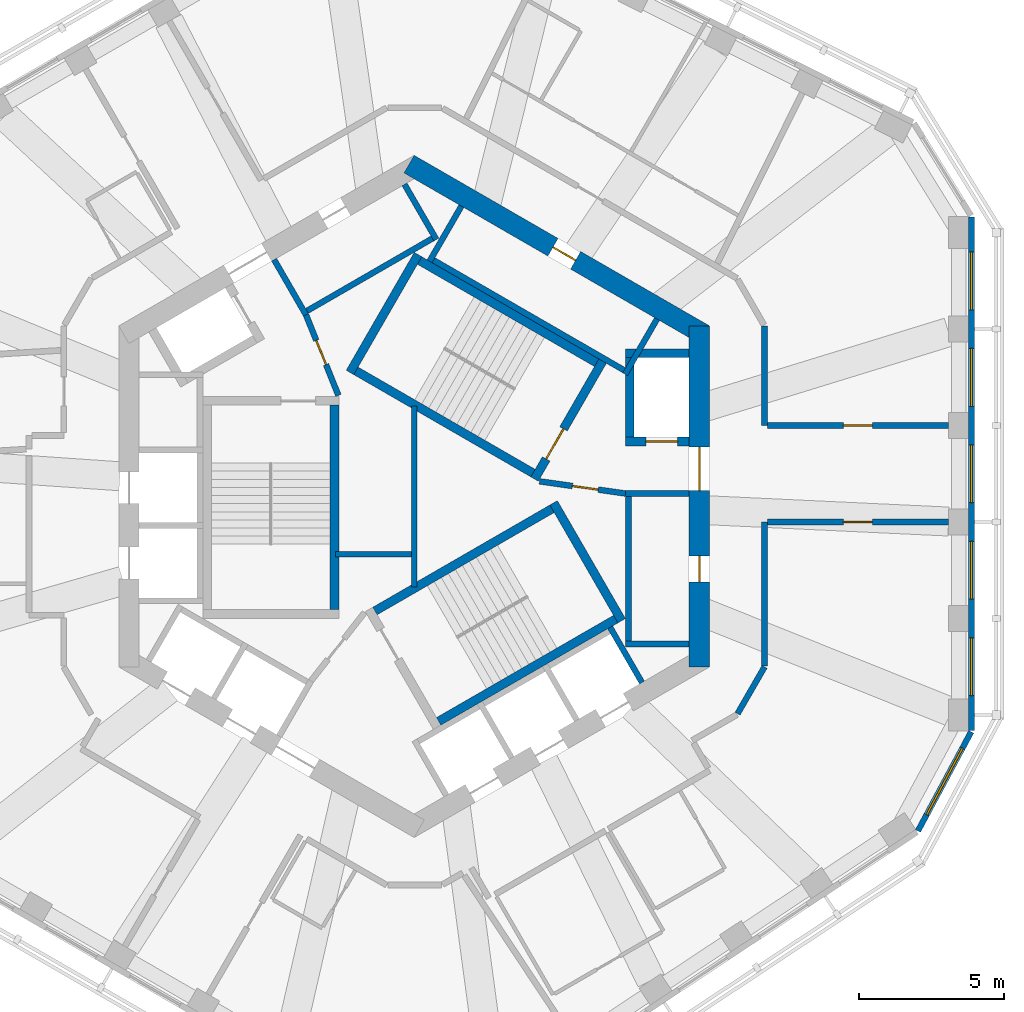
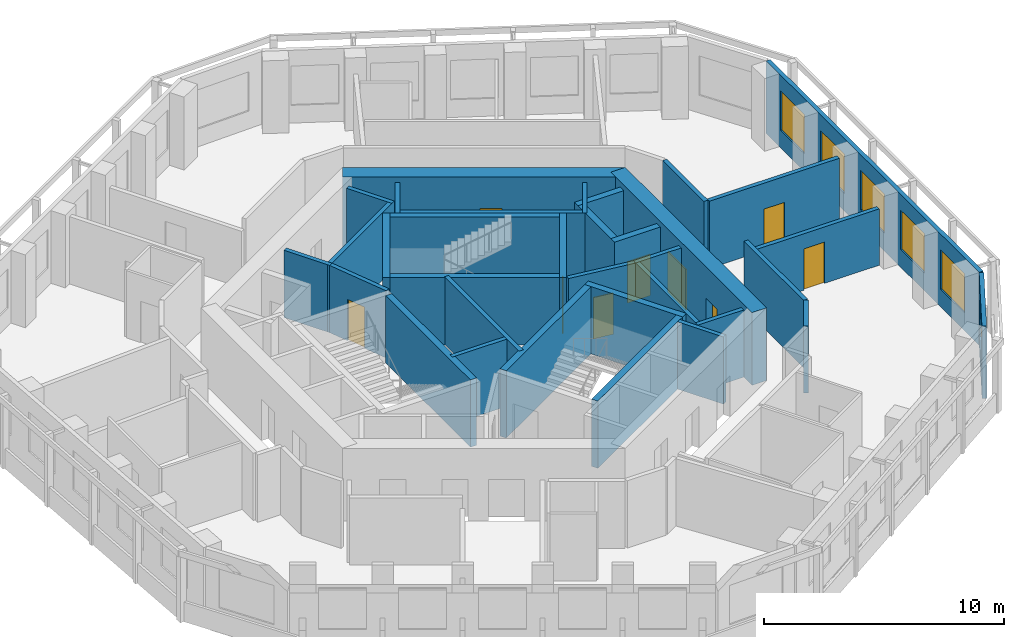
# One storey, part 6 of 10: 34 walls, 9 doors, 6 windows, 15 openings.
"""IFC4 building model written with IfcOpenShell, lengths in metres."""

from ifc_helpers import new_model, si_unit, direction, frame, frame_2d, origin, place, context, subcontext, project, spatial, rectangle, extrude, material, layer, layer_set, type_object, element, fill, save


model = new_model("IFC4")

# Units and contexts
model_context = context("Model", 3, precision=1e-05, world=origin(), true_north=direction((0.0, 1.0)))
body_context = subcontext(model_context, "Body", "Model", "MODEL_VIEW")
ifc_project = project(units=[si_unit("LENGTHUNIT", "METRE"), si_unit("AREAUNIT", "SQUARE_METRE"), si_unit("VOLUMEUNIT", "CUBIC_METRE"), si_unit("PLANEANGLEUNIT", "RADIAN"), si_unit("MASSUNIT", "GRAM", prefix="KILO")], contexts=[model_context])

# Site, building, storey
site_placement = place(None, origin())
site = spatial("IfcSite", under=ifc_project, at=site_placement, CompositionType="ELEMENT")
building_placement = place(site_placement, origin())
building = spatial("IfcBuilding", under=site, at=building_placement, Name="Vanh Sen Convention Tower", CompositionType="ELEMENT")
storey_placement = place(building_placement, frame((0.0, 0.0, 263.5)))
storey = spatial("IfcBuildingStorey", under=building, at=storey_placement, Name="L65", CompositionType="ELEMENT", Elevation=263.5)

# Wall, openings, doors
ifc_material_1 = material(Name="Concrete C60/75", Category="concrete")
ifc_layer_1 = layer(ifc_material_1, 0.699951171875)
ifc_layer_set_1 = layer_set([ifc_layer_1], Name="Concrete C60/75")
wall_type_1 = type_object("IfcWallType", Name="Core outer wall 700 C60/75", PredefinedType="SHEAR", material=ifc_layer_set_1)
wall_1_placement = place(storey_placement, frame((9.85009765625, -5.888916015625, 0.0), z_axis=(0.0, 0.0, 1.0), x_axis=(0.0, 1.0, 0.0)))
wall_1 = element("IfcWall", 1, at=wall_1_placement, inside=storey, type_object=wall_type_1, Name="Core wall face E L65", PredefinedType="SHEAR", context=body_context, shape_type="SweptSolid", body=[
    extrude(rectangle(XDim=11.77783203125, YDim=0.699951171875, at=frame_2d((5.888916015625, 0.0))), origin(), (0.0, 0.0, 1.0), 3.699951171875),
])
opening_1_placement = place(wall_1_placement, frame((6.089111328125, 0.0, 0.0)))
opening_1 = element("IfcOpeningElement", 2, at=opening_1_placement, cuts=wall_1, Name="Opening D64001", PredefinedType="OPENING", context=body_context, shape_type="SweptSolid", body=[
    extrude(rectangle(XDim=1.5, YDim=2.10009765625, at=frame_2d((0.75, 1.050048828125))), frame((0.0, 0.35986328125, 0.0), z_axis=(0.0, -1.0, 0.0), x_axis=(1.0, 0.0, 0.0)), (0.0, 0.0, 1.0), 0.719970703125),
])
opening_2_placement = place(wall_1_placement, frame((2.93896484375, 0.0, 0.0)))
opening_2 = element("IfcOpeningElement", 3, at=opening_2_placement, cuts=wall_1, Name="Opening D64010", PredefinedType="OPENING", context=body_context, shape_type="SweptSolid", body=[
    extrude(rectangle(XDim=0.89990234375, YDim=2.10009765625, at=frame_2d((0.449951171875, 1.050048828125))), frame((0.0, 0.35986328125, 0.0), z_axis=(0.0, -1.0, 0.0), x_axis=(1.0, 0.0, 0.0)), (0.0, 0.0, 1.0), 0.719970703125),
])
ifc_material_2 = material(Name="Steel S355", Category="steel")
door_type_1 = type_object("IfcDoorType", Name="Plant door 900", OperationType="SINGLE_SWING_LEFT", PredefinedType="DOOR", material=ifc_material_2)
door_1_placement = place(opening_2_placement, origin())
door_1 = element("IfcDoor", 4, at=door_1_placement, inside=storey, type_object=door_type_1, Name="Plant door D64010", OperationType="SINGLE_SWING_LEFT", OverallHeight=2.10009765625, OverallWidth=0.89990234375, PredefinedType="DOOR", context=body_context, shape_type="SweptSolid", body=[
    extrude(rectangle(XDim=0.89990234375, YDim=2.10009765625, at=frame_2d((0.449951171875, 1.050048828125))), frame((0.0, 0.02490234375, 0.0), z_axis=(0.0, -1.0, 0.0), x_axis=(1.0, 0.0, 0.0)), (0.0, 0.0, 1.0), 0.050048828125),
])
fill(opening_2, door_1)
door_type_2 = type_object("IfcDoorType", Name="Stair lobby door 1500", OperationType="DOUBLE_DOOR_SINGLE_SWING", PredefinedType="DOOR", material=ifc_material_2)
door_2_placement = place(opening_1_placement, origin())
door_2 = element("IfcDoor", 5, at=door_2_placement, inside=storey, type_object=door_type_2, Name="Stair lobby door D64001", OperationType="DOUBLE_DOOR_SINGLE_SWING", OverallHeight=2.10009765625, OverallWidth=1.5, PredefinedType="DOOR", context=body_context, shape_type="SweptSolid", body=[
    extrude(rectangle(XDim=1.5, YDim=2.10009765625, at=frame_2d((0.75, 1.050048828125))), frame((0.0, 0.02490234375, 0.0), z_axis=(0.0, -1.0, 0.0), x_axis=(1.0, 0.0, 0.0)), (0.0, 0.0, 1.0), 0.050048828125),
])
fill(opening_1, door_2)

# Wall, opening, door
wall_2_placement = place(storey_placement, frame((10.02490234375, 5.5859375, 0.0), z_axis=(0.0, 0.0, 1.0), x_axis=(-0.866026453023, 0.499998182661, 0.0)))
wall_2 = element("IfcWall", 6, at=wall_2_placement, inside=storey, type_object=wall_type_1, Name="Core wall face NE L65", PredefinedType="SHEAR", context=body_context, shape_type="SweptSolid", body=[
    extrude(rectangle(XDim=11.77783203125, YDim=0.699951171875, at=frame_2d((5.888916015625, 0.0))), origin(), (0.0, 0.0, 1.0), 3.699951171875),
])
opening_3_placement = place(wall_2_placement, frame((5.138916015625, 0.0, 0.0)))
opening_3 = element("IfcOpeningElement", 7, at=opening_3_placement, cuts=wall_2, Name="Opening D64011", PredefinedType="OPENING", context=body_context, shape_type="SweptSolid", body=[
    extrude(rectangle(XDim=0.89990234375, YDim=2.10009765625, at=frame_2d((0.449951171875, 1.050048828125))), frame((0.0, 0.35986328125, 0.0), z_axis=(0.0, -1.0, 0.0), x_axis=(1.0, 0.0, 0.0)), (0.0, 0.0, 1.0), 0.719970703125),
])
door_3_placement = place(opening_3_placement, origin())
door_3 = element("IfcDoor", 8, at=door_3_placement, inside=storey, type_object=door_type_1, Name="Plant door D64011", OperationType="SINGLE_SWING_LEFT", OverallHeight=2.10009765625, OverallWidth=0.89990234375, PredefinedType="DOOR", context=body_context, shape_type="SweptSolid", body=[
    extrude(rectangle(XDim=0.89990234375, YDim=2.10009765625, at=frame_2d((0.449951171875, 1.050048828125))), frame((0.0, 0.02490234375, 0.0), z_axis=(0.0, -1.0, 0.0), x_axis=(1.0, 0.0, 0.0)), (0.0, 0.0, 1.0), 0.050048828125),
])
fill(opening_3, door_3)

# Walls
ifc_material_3 = material(Name="Masonry blockwork", Category="masonry")
ifc_layer_2 = layer(ifc_material_3, 0.199951171875)
ifc_layer_set_2 = layer_set([ifc_layer_2], Name="Masonry blockwork")
wall_type_2 = type_object("IfcWallType", Name="Core partition 200", PredefinedType="PARTITIONING", material=ifc_layer_set_2)
wall_3_placement = place(storey_placement, frame((-2.719970703125, -2.0, 0.0), z_axis=(0.0, 0.0, 1.0), x_axis=(1.0, 0.0, 0.0)))
element("IfcWall", 9, at=wall_3_placement, inside=storey, type_object=wall_type_2, Name="Core partition L65", PredefinedType="PARTITIONING", context=body_context, shape_type="SweptSolid", body=[
    extrude(rectangle(XDim=2.619873046875, YDim=0.199951171875, at=frame_2d((1.31005859375, 0.0))), origin(), (0.0, 0.0, 1.0), 3.419921875),
])
wall_4_placement = place(storey_placement, frame((0.0, -3.122314453125, 0.0), z_axis=(0.0, 0.0, 1.0), x_axis=(0.0, 1.0, 0.0)))
element("IfcWall", 10, at=wall_4_placement, inside=storey, type_object=wall_type_2, Name="Core partition L65", PredefinedType="PARTITIONING", context=body_context, shape_type="SweptSolid", body=[
    extrude(rectangle(XDim=6.24462890625, YDim=0.199951171875, at=frame_2d((3.122314453125, 0.0))), origin(), (0.0, 0.0, 1.0), 3.419921875),
])
ifc_material_4 = material(Name="Gypsum board on steel studs with mineral wool", Category="steel")
ifc_layer_3 = layer(ifc_material_4, 0.199951171875)
ifc_layer_set_3 = layer_set([ifc_layer_3], Name="Gypsum board on steel studs with mineral wool")
wall_type_3 = type_object("IfcWallType", Name="Corridor partition wall 200", PredefinedType="PARTITIONING", material=ifc_layer_set_3)
wall_5_placement = place(storey_placement, frame((11.169921875, -7.5, 0.0), z_axis=(0.0, 0.0, 1.0), x_axis=(0.500006454166, 0.866021677438, 0.0)))
element("IfcWall", 11, at=wall_5_placement, inside=storey, type_object=wall_type_3, Name="Corridor partition wall 200", PredefinedType="PARTITIONING", context=body_context, shape_type="SweptSolid", body=[
    extrude(rectangle(XDim=1.8603515625, YDim=0.199951171875, at=frame_2d((0.93017578125, 0.0))), origin(), (0.0, 0.0, 1.0), 3.419921875),
])
wall_6_placement = place(storey_placement, frame((12.10009765625, -5.84912109375, 0.0), z_axis=(0.0, 0.0, 1.0), x_axis=(0.0, 1.0, 0.0)))
element("IfcWall", 12, at=wall_6_placement, inside=storey, type_object=wall_type_3, Name="Corridor partition wall 200", PredefinedType="PARTITIONING", context=body_context, shape_type="SweptSolid", body=[
    extrude(rectangle(XDim=4.9658203125, YDim=0.199951171875, at=frame_2d((2.48291015625, 0.0))), origin(), (0.0, 0.0, 1.0), 3.419921875),
])
wall_7_placement = place(storey_placement, frame((12.10009765625, 2.4482421875, 0.0), z_axis=(0.0, 0.0, 1.0), x_axis=(0.0, 1.0, 0.0)))
element("IfcWall", 13, at=wall_7_placement, inside=storey, type_object=wall_type_3, Name="Corridor partition wall 200", PredefinedType="PARTITIONING", context=body_context, shape_type="SweptSolid", body=[
    extrude(rectangle(XDim=3.440673828125, YDim=0.199951171875, at=frame_2d((1.72021484375, 0.0))), origin(), (0.0, 0.0, 1.0), 3.419921875),
])

# Wall, opening, door
wall_8_placement = place(storey_placement, frame((12.199951171875, -0.88330078125, 0.0), z_axis=(0.0, 0.0, 1.0), x_axis=(1.0, 0.0, 0.0)))
wall_8 = element("IfcWall", 14, at=wall_8_placement, inside=storey, type_object=wall_type_3, Name="Corridor partition wall 200", PredefinedType="PARTITIONING", context=body_context, shape_type="SweptSolid", body=[
    extrude(rectangle(XDim=6.25, YDim=0.199951171875, at=frame_2d((3.125, 0.0))), origin(), (0.0, 0.0, 1.0), 2.8701171875),
])
opening_4_placement = place(wall_8_placement, frame((2.625, 0.0, 0.0)))
opening_4 = element("IfcOpeningElement", 15, at=opening_4_placement, cuts=wall_8, Name="Opening D64114", PredefinedType="OPENING", context=body_context, shape_type="SweptSolid", body=[
    extrude(rectangle(XDim=1.0, YDim=2.10009765625, at=frame_2d((0.5, 1.050048828125))), frame((0.0, 0.10986328125, 0.0), z_axis=(0.0, -1.0, 0.0), x_axis=(1.0, 0.0, 0.0)), (0.0, 0.0, 1.0), 0.219970703125),
])
ifc_material_5 = material(Name="Glazed fire door in steel frame", Category="steel")
door_type_3 = type_object("IfcDoorType", Name="Tenant entrance door 1000", OperationType="SINGLE_SWING_LEFT", PredefinedType="DOOR", material=ifc_material_5)
door_4_placement = place(opening_4_placement, origin())
door_4 = element("IfcDoor", 16, at=door_4_placement, inside=storey, type_object=door_type_3, Name="Tenant suite entrance door D64114", OperationType="SINGLE_SWING_LEFT", OverallHeight=2.10009765625, OverallWidth=1.0, PredefinedType="DOOR", context=body_context, shape_type="SweptSolid", body=[
    extrude(rectangle(XDim=1.0, YDim=2.10009765625, at=frame_2d((0.5, 1.050048828125))), frame((0.0, 0.02490234375, 0.0), z_axis=(0.0, -1.0, 0.0), x_axis=(1.0, 0.0, 0.0)), (0.0, 0.0, 1.0), 0.050048828125),
])
fill(opening_4, door_4)

wall_9_placement = place(storey_placement, frame((18.449951171875, 2.4482421875, 0.0), z_axis=(0.0, 0.0, 1.0), x_axis=(-1.0, 0.0, 0.0)))
wall_9 = element("IfcWall", 17, at=wall_9_placement, inside=storey, type_object=wall_type_3, Name="Corridor partition wall 200", PredefinedType="PARTITIONING", context=body_context, shape_type="SweptSolid", body=[
    extrude(rectangle(XDim=6.25, YDim=0.199951171875, at=frame_2d((3.125, 0.0))), origin(), (0.0, 0.0, 1.0), 3.419921875),
])
opening_5_placement = place(wall_9_placement, frame((2.625, 0.0, 0.0)))
opening_5 = element("IfcOpeningElement", 18, at=opening_5_placement, cuts=wall_9, Name="Opening D64101", PredefinedType="OPENING", context=body_context, shape_type="SweptSolid", body=[
    extrude(rectangle(XDim=1.0, YDim=2.10009765625, at=frame_2d((0.5, 1.050048828125))), frame((0.0, 0.10986328125, 0.0), z_axis=(0.0, -1.0, 0.0), x_axis=(1.0, 0.0, 0.0)), (0.0, 0.0, 1.0), 0.219970703125),
])
ifc_material_6 = material(Name="Timber fire door in steel frame", Category="steel")
door_type_4 = type_object("IfcDoorType", Name="Floor room door 1000", OperationType="SINGLE_SWING_LEFT", PredefinedType="DOOR", material=ifc_material_6)
door_5_placement = place(opening_5_placement, origin())
door_5 = element("IfcDoor", 19, at=door_5_placement, inside=storey, type_object=door_type_4, Name="Meeting and amenity room door D64101", OperationType="SINGLE_SWING_LEFT", OverallHeight=2.10009765625, OverallWidth=1.0, PredefinedType="DOOR", context=body_context, shape_type="SweptSolid", body=[
    extrude(rectangle(XDim=1.0, YDim=2.10009765625, at=frame_2d((0.5, 1.050048828125))), frame((0.0, 0.02490234375, 0.0), z_axis=(0.0, -1.0, 0.0), x_axis=(1.0, 0.0, 0.0)), (0.0, 0.0, 1.0), 0.050048828125),
])
fill(opening_5, door_5)

# Wall, openings, windows
ifc_material_7 = material(Name="Insulated lightweight infill wall")
ifc_layer_4 = layer(ifc_material_7, 0.199951171875)
ifc_layer_set_4 = layer_set([ifc_layer_4], Name="Insulated lightweight infill wall")
wall_type_4 = type_object("IfcWallType", Name="External wall 200", PredefinedType="STANDARD", material=ifc_layer_set_4)
wall_10_placement = place(storey_placement, frame((19.25, -8.083984375, 0.0), z_axis=(0.0, 0.0, 1.0), x_axis=(0.0, 1.0, 0.0)))
wall_10 = element("IfcWall", 20, at=wall_10_placement, inside=storey, type_object=wall_type_4, Name="External wall E L65", PredefinedType="STANDARD", context=body_context, shape_type="SweptSolid", body=[
    extrude(rectangle(XDim=17.731201171875, YDim=0.199951171875, at=frame_2d((8.86572265625, 0.0))), origin(), (0.0, 0.0, 1.0), 3.699951171875),
])
opening_6_placement = place(wall_10_placement, frame((1.203125, 0.0, 0.89990234375)))
opening_6 = element("IfcOpeningElement", 21, at=opening_6_placement, cuts=wall_10, Name="Opening WO5-E1", PredefinedType="OPENING", context=body_context, shape_type="SweptSolid", body=[
    extrude(rectangle(XDim=2.0, YDim=2.0, at=frame_2d((1.0, 1.0))), frame((0.0, 0.10986328125, 0.0), z_axis=(0.0, -1.0, 0.0), x_axis=(1.0, 0.0, 0.0)), (0.0, 0.0, 1.0), 0.219970703125),
])
opening_7_placement = place(wall_10_placement, frame((4.534912109375, 0.0, 0.89990234375)))
opening_7 = element("IfcOpeningElement", 22, at=opening_7_placement, cuts=wall_10, Name="Opening WO5-E2", PredefinedType="OPENING", context=body_context, shape_type="SweptSolid", body=[
    extrude(rectangle(XDim=2.0, YDim=2.0, at=frame_2d((1.0, 1.0))), frame((0.0, 0.10986328125, 0.0), z_axis=(0.0, -1.0, 0.0), x_axis=(1.0, 0.0, 0.0)), (0.0, 0.0, 1.0), 0.219970703125),
])
opening_8_placement = place(wall_10_placement, frame((7.866455078125, 0.0, 0.89990234375)))
opening_8 = element("IfcOpeningElement", 23, at=opening_8_placement, cuts=wall_10, Name="Opening WO5-E3", PredefinedType="OPENING", context=body_context, shape_type="SweptSolid", body=[
    extrude(rectangle(XDim=2.0, YDim=2.0, at=frame_2d((1.0, 1.0))), frame((0.0, 0.10986328125, 0.0), z_axis=(0.0, -1.0, 0.0), x_axis=(1.0, 0.0, 0.0)), (0.0, 0.0, 1.0), 0.219970703125),
])
opening_9_placement = place(wall_10_placement, frame((11.197998046875, 0.0, 0.89990234375)))
opening_9 = element("IfcOpeningElement", 24, at=opening_9_placement, cuts=wall_10, Name="Opening WO5-E4", PredefinedType="OPENING", context=body_context, shape_type="SweptSolid", body=[
    extrude(rectangle(XDim=2.0, YDim=2.0, at=frame_2d((1.0, 1.0))), frame((0.0, 0.10986328125, 0.0), z_axis=(0.0, -1.0, 0.0), x_axis=(1.0, 0.0, 0.0)), (0.0, 0.0, 1.0), 0.219970703125),
])
opening_10_placement = place(wall_10_placement, frame((14.52978515625, 0.0, 0.89990234375)))
opening_10 = element("IfcOpeningElement", 25, at=opening_10_placement, cuts=wall_10, Name="Opening WO5-E5", PredefinedType="OPENING", context=body_context, shape_type="SweptSolid", body=[
    extrude(rectangle(XDim=2.0, YDim=2.0, at=frame_2d((1.0, 1.0))), frame((0.0, 0.10986328125, 0.0), z_axis=(0.0, -1.0, 0.0), x_axis=(1.0, 0.0, 0.0)), (0.0, 0.0, 1.0), 0.219970703125),
])
ifc_material_8 = material(Name="Aluminium frame with clear low-emissivity glass", Category="aluminium")
window_type_1 = type_object("IfcWindowType", Name="Office window 2000 x 2000", PartitioningType="SINGLE_PANEL", PredefinedType="WINDOW", material=ifc_material_8)
window_1_placement = place(opening_6_placement, origin())
window_1 = element("IfcWindow", 26, at=window_1_placement, inside=storey, type_object=window_type_1, Name="Window WO5-E1", OverallHeight=2.0, OverallWidth=2.0, PartitioningType="SINGLE_PANEL", PredefinedType="WINDOW", context=body_context, shape_type="SweptSolid", body=[
    extrude(rectangle(XDim=2.0, YDim=2.0, at=frame_2d((1.0, 1.0))), frame((0.0, 0.030029296875, 0.0), z_axis=(0.0, -1.0, 0.0), x_axis=(1.0, 0.0, 0.0)), (0.0, 0.0, 1.0), 0.06005859375),
])
fill(opening_6, window_1)
window_2_placement = place(opening_7_placement, origin())
window_2 = element("IfcWindow", 27, at=window_2_placement, inside=storey, type_object=window_type_1, Name="Window WO5-E2", OverallHeight=2.0, OverallWidth=2.0, PartitioningType="SINGLE_PANEL", PredefinedType="WINDOW", context=body_context, shape_type="SweptSolid", body=[
    extrude(rectangle(XDim=2.0, YDim=2.0, at=frame_2d((1.0, 1.0))), frame((0.0, 0.030029296875, 0.0), z_axis=(0.0, -1.0, 0.0), x_axis=(1.0, 0.0, 0.0)), (0.0, 0.0, 1.0), 0.06005859375),
])
fill(opening_7, window_2)
window_3_placement = place(opening_8_placement, origin())
window_3 = element("IfcWindow", 28, at=window_3_placement, inside=storey, type_object=window_type_1, Name="Window WO5-E3", OverallHeight=2.0, OverallWidth=2.0, PartitioningType="SINGLE_PANEL", PredefinedType="WINDOW", context=body_context, shape_type="SweptSolid", body=[
    extrude(rectangle(XDim=2.0, YDim=2.0, at=frame_2d((1.0, 1.0))), frame((0.0, 0.030029296875, 0.0), z_axis=(0.0, -1.0, 0.0), x_axis=(1.0, 0.0, 0.0)), (0.0, 0.0, 1.0), 0.06005859375),
])
fill(opening_8, window_3)
window_4_placement = place(opening_9_placement, origin())
window_4 = element("IfcWindow", 29, at=window_4_placement, inside=storey, type_object=window_type_1, Name="Window WO5-E4", OverallHeight=2.0, OverallWidth=2.0, PartitioningType="SINGLE_PANEL", PredefinedType="WINDOW", context=body_context, shape_type="SweptSolid", body=[
    extrude(rectangle(XDim=2.0, YDim=2.0, at=frame_2d((1.0, 1.0))), frame((0.0, 0.030029296875, 0.0), z_axis=(0.0, -1.0, 0.0), x_axis=(1.0, 0.0, 0.0)), (0.0, 0.0, 1.0), 0.06005859375),
])
fill(opening_9, window_4)
window_5_placement = place(opening_10_placement, origin())
window_5 = element("IfcWindow", 30, at=window_5_placement, inside=storey, type_object=window_type_1, Name="Window WO5-E5", OverallHeight=2.0, OverallWidth=2.0, PartitioningType="SINGLE_PANEL", PredefinedType="WINDOW", context=body_context, shape_type="SweptSolid", body=[
    extrude(rectangle(XDim=2.0, YDim=2.0, at=frame_2d((1.0, 1.0))), frame((0.0, 0.030029296875, 0.0), z_axis=(0.0, -1.0, 0.0), x_axis=(1.0, 0.0, 0.0)), (0.0, 0.0, 1.0), 0.06005859375),
])
fill(opening_10, window_5)

# Wall, opening, window
wall_11_placement = place(storey_placement, frame((17.39892578125, -11.55419921875, 0.0), z_axis=(0.0, 0.0, 1.0), x_axis=(0.473309051311, 0.880896442238, 0.0)))
wall_11 = element("IfcWall", 31, at=wall_11_placement, inside=storey, type_object=wall_type_4, Name="External wall CH6 L65", PredefinedType="STANDARD", context=body_context, shape_type="SweptSolid", body=[
    extrude(rectangle(XDim=3.8857421875, YDim=0.199951171875, at=frame_2d((1.94287109375, 0.0))), origin(), (0.0, 0.0, 1.0), 3.699951171875),
])
opening_11_placement = place(wall_11_placement, frame((0.642822265625, 0.0, 0.89990234375)))
opening_11 = element("IfcOpeningElement", 32, at=opening_11_placement, cuts=wall_11, Name="Opening WO6-CH61", PredefinedType="OPENING", context=body_context, shape_type="SweptSolid", body=[
    extrude(rectangle(XDim=2.60009765625, YDim=2.0, at=frame_2d((1.300048828125, 1.0))), frame((0.0, 0.10986328125, 0.0), z_axis=(0.0, -1.0, 0.0), x_axis=(1.0, 0.0, 0.0)), (0.0, 0.0, 1.0), 0.219970703125),
])
window_type_2 = type_object("IfcWindowType", Name="Office window 2600 x 2000", PartitioningType="SINGLE_PANEL", PredefinedType="WINDOW", material=ifc_material_8)
window_6_placement = place(opening_11_placement, origin())
window_6 = element("IfcWindow", 33, at=window_6_placement, inside=storey, type_object=window_type_2, Name="Window WO6-CH61", OverallHeight=2.0, OverallWidth=2.60009765625, PartitioningType="SINGLE_PANEL", PredefinedType="WINDOW", context=body_context, shape_type="SweptSolid", body=[
    extrude(rectangle(XDim=2.60009765625, YDim=2.0, at=frame_2d((1.300048828125, 1.0))), frame((0.0, 0.030029296875, 0.0), z_axis=(0.0, -1.0, 0.0), x_axis=(1.0, 0.0, 0.0)), (0.0, 0.0, 1.0), 0.06005859375),
])
fill(opening_11, window_6)

# Wall, opening, door
ifc_layer_5 = layer(ifc_material_1, 0.300048828125)
ifc_layer_set_5 = layer_set([ifc_layer_5], Name="Concrete C60/75")
wall_type_5 = type_object("IfcWallType", Name="Fire-fighting lift shaft wall 300", PredefinedType="SHEAR", material=ifc_layer_set_5)
wall_12_placement = place(storey_placement, frame((7.300048828125, 1.89990234375, 0.0), z_axis=(0.0, 0.0, 1.0), x_axis=(1.0, 0.0, 0.0)))
wall_12 = element("IfcWall", 34, at=wall_12_placement, inside=storey, type_object=wall_type_5, Name="Fire-fighting lift shaft wall L65", PredefinedType="SHEAR", context=body_context, shape_type="SweptSolid", body=[
    extrude(rectangle(XDim=2.199951171875, YDim=0.300048828125, at=frame_2d((1.10009765625, 0.0))), origin(), (0.0, 0.0, 1.0), 3.419921875),
])
opening_12_placement = place(wall_12_placement, frame((0.699951171875, 0.0, 0.0)))
opening_12 = element("IfcOpeningElement", 35, at=opening_12_placement, cuts=wall_12, Name="Opening LD-FF1", PredefinedType="OPENING", context=body_context, shape_type="SweptSolid", body=[
    extrude(rectangle(XDim=1.10009765625, YDim=2.10009765625, at=frame_2d((0.550048828125, 1.050048828125))), frame((0.0, 0.159912109375, 0.0), z_axis=(0.0, -1.0, 0.0), x_axis=(1.0, 0.0, 0.0)), (0.0, 0.0, 1.0), 0.320068359375),
])
ifc_material_9 = material(Name="Stainless steel", Category="steel")
door_type_5 = type_object("IfcDoorType", Name="Fire-fighting lift landing door 1100", OperationType="DOUBLE_DOOR_SLIDING", PredefinedType="DOOR", material=ifc_material_9)
door_6_placement = place(opening_12_placement, origin())
door_6 = element("IfcDoor", 36, at=door_6_placement, inside=storey, type_object=door_type_5, Name="Lift FF1 landing door LD-FF1", OperationType="DOUBLE_DOOR_SLIDING", OverallHeight=2.10009765625, OverallWidth=1.10009765625, PredefinedType="DOOR", context=body_context, shape_type="SweptSolid", body=[
    extrude(rectangle(XDim=1.10009765625, YDim=2.10009765625, at=frame_2d((0.550048828125, 1.050048828125))), frame((0.0, 0.02490234375, 0.0), z_axis=(0.0, -1.0, 0.0), x_axis=(1.0, 0.0, 0.0)), (0.0, 0.0, 1.0), 0.050048828125),
])
fill(opening_12, door_6)

# Walls
wall_13_placement = place(storey_placement, frame((7.449951171875, 1.75, 0.0), z_axis=(0.0, 0.0, 1.0), x_axis=(0.0, 1.0, 0.0)))
element("IfcWall", 37, at=wall_13_placement, inside=storey, type_object=wall_type_5, Name="Fire-fighting lift shaft wall L65", PredefinedType="SHEAR", context=body_context, shape_type="SweptSolid", body=[
    extrude(rectangle(XDim=3.35009765625, YDim=0.300048828125, at=frame_2d((1.675048828125, 0.0))), origin(), (0.0, 0.0, 1.0), 3.419921875),
])
wall_14_placement = place(storey_placement, frame((7.300048828125, 4.949951171875, 0.0), z_axis=(0.0, 0.0, 1.0), x_axis=(1.0, 0.0, 0.0)))
element("IfcWall", 38, at=wall_14_placement, inside=storey, type_object=wall_type_5, Name="Fire-fighting lift shaft wall L65", PredefinedType="SHEAR", context=body_context, shape_type="SweptSolid", body=[
    extrude(rectangle(XDim=2.199951171875, YDim=0.300048828125, at=frame_2d((1.10009765625, 0.0))), origin(), (0.0, 0.0, 1.0), 3.419921875),
])
ifc_material_10 = material(Name="Concrete C40/50", Category="concrete")
ifc_layer_6 = layer(ifc_material_10, 0.199951171875)
ifc_layer_set_6 = layer_set([ifc_layer_6], Name="Concrete C40/50")
wall_type_6 = type_object("IfcWallType", Name="Lift shaft wall 200", PredefinedType="PARTITIONING", material=ifc_layer_set_6)
wall_15_placement = place(storey_placement, frame((7.39990234375, -5.199951171875, 0.0), z_axis=(0.0, 0.0, 1.0), x_axis=(0.0, 1.0, 0.0)))
element("IfcWall", 39, at=wall_15_placement, inside=storey, type_object=wall_type_6, Name="Lift shaft wall L65", PredefinedType="PARTITIONING", context=body_context, shape_type="SweptSolid", body=[
    extrude(rectangle(XDim=5.39990234375, YDim=0.199951171875, at=frame_2d((2.699951171875, 0.0))), origin(), (0.0, 0.0, 1.0), 3.419921875),
])
for number, where, z_axis, x_axis, name in (
    (40, (7.300048828125, -5.10009765625, 0.0), (0.0, 0.0, 1.0), (1.0, 0.0, 0.0), "Lift shaft wall L65"),
    (41, (7.300048828125, 0.10009765625, 0.0), (0.0, 0.0, 1.0), (1.0, 0.0, 0.0), "Lift shaft wall L65"),
):
    element("IfcWall", number, at=place(storey_placement, frame(where, z_axis=z_axis, x_axis=x_axis)), inside=storey, type_object=wall_type_6, Name=name, PredefinedType="PARTITIONING", context=body_context, shape_type="SweptSolid", body=[
        extrude(rectangle(XDim=2.199951171875, YDim=0.199951171875, at=frame_2d((1.10009765625, 0.0))), origin(), (0.0, 0.0, 1.0), 3.419921875),
    ])
wall_16_placement = place(storey_placement, frame((7.423828125, 4.258544921875, 0.0), z_axis=(0.0, 0.0, 1.0), x_axis=(-0.866026010844, 0.49999894854, 0.0)))
element("IfcWall", 42, at=wall_16_placement, inside=storey, type_object=wall_type_6, Name="Lift shaft wall L65", PredefinedType="PARTITIONING", context=body_context, shape_type="SweptSolid", body=[
    extrude(rectangle(XDim=8.0, YDim=0.199951171875, at=frame_2d((4.0, 0.0))), origin(), (0.0, 0.0, 1.0), 3.419921875),
])
for number, where, z_axis, x_axis, name in (
    (43, (7.287353515625, 4.221923828125, 0.0), (0.0, 0.0, 1.0), (0.499946605688, 0.86605622881, 0.0), "Lift shaft wall L65"),
    (44, (0.5322265625, 8.1220703125, 0.0), (0.0, 0.0, 1.0), (0.500077893725, 0.86598042715, 0.0), "Lift shaft wall L65"),
):
    element("IfcWall", number, at=place(storey_placement, frame(where, z_axis=z_axis, x_axis=x_axis)), inside=storey, type_object=wall_type_6, Name=name, PredefinedType="PARTITIONING", context=body_context, shape_type="SweptSolid", body=[
        extrude(rectangle(XDim=2.199951171875, YDim=0.199951171875, at=frame_2d((1.10009765625, 0.0))), origin(), (0.0, 0.0, 1.0), 3.419921875),
    ])
wall_17_placement = place(storey_placement, frame((0.80322265625, 9.008544921875, 0.0), z_axis=(0.0, 0.0, 1.0), x_axis=(-0.866028230842, -0.499995103361, 0.0)))
element("IfcWall", 45, at=wall_17_placement, inside=storey, type_object=wall_type_6, Name="Lift shaft wall L65", PredefinedType="PARTITIONING", context=body_context, shape_type="SweptSolid", body=[
    extrude(rectangle(XDim=5.39990234375, YDim=0.199951171875, at=frame_2d((2.699951171875, 0.0))), origin(), (0.0, 0.0, 1.0), 3.419921875),
])
wall_18_placement = place(storey_placement, frame((0.7666015625, 8.8720703125, 0.0), z_axis=(0.0, 0.0, 1.0), x_axis=(-0.499994660107, 0.866028486751, 0.0)))
element("IfcWall", 46, at=wall_18_placement, inside=storey, type_object=wall_type_6, Name="Lift shaft wall L65", PredefinedType="PARTITIONING", context=body_context, shape_type="SweptSolid", body=[
    extrude(rectangle(XDim=2.19970703125, YDim=0.199951171875, at=frame_2d((1.099853515625, 0.0))), origin(), (0.0, 0.0, 1.0), 3.419921875),
])
for number, where, z_axis, x_axis, name in (
    (47, (-3.736572265625, 6.27197265625, 0.0), (0.0, 0.0, 1.0), (-0.50002983664, 0.866008176907, 0.0), "Lift shaft wall L65"),
    (48, (6.767578125, -4.52197265625, 0.0), (0.0, 0.0, 1.0), (0.50002983664, -0.866008176907, 0.0), "Lift shaft wall L65"),
):
    element("IfcWall", number, at=place(storey_placement, frame(where, z_axis=z_axis, x_axis=x_axis)), inside=storey, type_object=wall_type_6, Name=name, PredefinedType="PARTITIONING", context=body_context, shape_type="SweptSolid", body=[
        extrude(rectangle(XDim=2.199951171875, YDim=0.199951171875, at=frame_2d((1.10009765625, 0.0))), origin(), (0.0, 0.0, 1.0), 3.419921875),
    ])

# Wall, opening, door
ifc_layer_7 = layer(ifc_material_10, 0.199951171875)
ifc_layer_set_7 = layer_set([ifc_layer_7], Name="Concrete C40/50")
wall_type_7 = type_object("IfcWallType", Name="Stair lobby wall 200", PredefinedType="PARTITIONING", material=ifc_layer_set_7)
wall_19_placement = place(storey_placement, frame((4.327392578125, 0.52099609375, 0.0), z_axis=(0.0, 0.0, 1.0), x_axis=(0.990124376366, -0.14019172346, 0.0)))
wall_19 = element("IfcWall", 49, at=wall_19_placement, inside=storey, type_object=wall_type_7, Name="Stair lobby wall L65", PredefinedType="PARTITIONING", context=body_context, shape_type="SweptSolid", body=[
    extrude(rectangle(XDim=3.002197265625, YDim=0.199951171875, at=frame_2d((1.5009765625, 0.0))), origin(), (0.0, 0.0, 1.0), 3.419921875),
])
opening_13_placement = place(wall_19_placement, frame((1.14990234375, 0.0, 0.0)))
opening_13 = element("IfcOpeningElement", 50, at=opening_13_placement, cuts=wall_19, Name="Opening D64007", PredefinedType="OPENING", context=body_context, shape_type="SweptSolid", body=[
    extrude(rectangle(XDim=0.89990234375, YDim=2.10009765625, at=frame_2d((0.449951171875, 1.050048828125))), frame((0.0, 0.10986328125, 0.0), z_axis=(0.0, -1.0, 0.0), x_axis=(1.0, 0.0, 0.0)), (0.0, 0.0, 1.0), 0.219970703125),
])
door_7_placement = place(opening_13_placement, origin())
door_7 = element("IfcDoor", 51, at=door_7_placement, inside=storey, type_object=door_type_1, Name="Plant door D64007", OperationType="SINGLE_SWING_LEFT", OverallHeight=2.10009765625, OverallWidth=0.89990234375, PredefinedType="DOOR", context=body_context, shape_type="SweptSolid", body=[
    extrude(rectangle(XDim=0.89990234375, YDim=2.10009765625, at=frame_2d((0.449951171875, 1.050048828125))), frame((0.0, 0.02490234375, 0.0), z_axis=(0.0, -1.0, 0.0), x_axis=(1.0, 0.0, 0.0)), (0.0, 0.0, 1.0), 0.050048828125),
])
fill(opening_13, door_7)

wall_20_placement = place(storey_placement, frame((-2.614990234375, 3.487060546875, 0.0), z_axis=(0.0, 0.0, 1.0), x_axis=(-0.373576831041, 0.92759924068, 0.0)))
wall_20 = element("IfcWall", 52, at=wall_20_placement, inside=storey, type_object=wall_type_7, Name="Stair lobby wall L65", PredefinedType="PARTITIONING", context=body_context, shape_type="SweptSolid", body=[
    extrude(rectangle(XDim=3.002197265625, YDim=0.199951171875, at=frame_2d((1.5009765625, 0.0))), origin(), (0.0, 0.0, 1.0), 3.419921875),
])
opening_14_placement = place(wall_20_placement, frame((1.14990234375, 0.0, 0.0)))
opening_14 = element("IfcOpeningElement", 53, at=opening_14_placement, cuts=wall_20, Name="Opening D64008", PredefinedType="OPENING", context=body_context, shape_type="SweptSolid", body=[
    extrude(rectangle(XDim=0.89990234375, YDim=2.10009765625, at=frame_2d((0.449951171875, 1.050048828125))), frame((0.0, 0.10986328125, 0.0), z_axis=(0.0, -1.0, 0.0), x_axis=(1.0, 0.0, 0.0)), (0.0, 0.0, 1.0), 0.219970703125),
])
door_8_placement = place(opening_14_placement, origin())
door_8 = element("IfcDoor", 54, at=door_8_placement, inside=storey, type_object=door_type_1, Name="Plant door D64008", OperationType="SINGLE_SWING_LEFT", OverallHeight=2.10009765625, OverallWidth=0.89990234375, PredefinedType="DOOR", context=body_context, shape_type="SweptSolid", body=[
    extrude(rectangle(XDim=0.89990234375, YDim=2.10009765625, at=frame_2d((0.449951171875, 1.050048828125))), frame((0.0, 0.02490234375, 0.0), z_axis=(0.0, -1.0, 0.0), x_axis=(1.0, 0.0, 0.0)), (0.0, 0.0, 1.0), 0.050048828125),
])
fill(opening_14, door_8)

ifc_layer_8 = layer(ifc_material_1, 0.300048828125)
ifc_layer_set_8 = layer_set([ifc_layer_8], Name="Concrete C60/75")
wall_type_8 = type_object("IfcWallType", Name="Stair wall 300", PredefinedType="SHEAR", material=ifc_layer_set_8)
wall_21_placement = place(storey_placement, frame((4.157958984375, 0.601806640625, 0.0), z_axis=(0.0, 0.0, 1.0), x_axis=(0.499977259774, 0.866038532462, 0.0)))
wall_21 = element("IfcWall", 55, at=wall_21_placement, inside=storey, type_object=wall_type_8, Name="Stair wall L65", PredefinedType="SHEAR", context=body_context, shape_type="SweptSolid", body=[
    extrude(rectangle(XDim=4.699951171875, YDim=0.300048828125, at=frame_2d((2.35009765625, 0.0))), origin(), (0.0, 0.0, 1.0), 3.419921875),
])
opening_15_placement = place(wall_21_placement, frame((0.800048828125, 0.0, 0.0)))
opening_15 = element("IfcOpeningElement", 56, at=opening_15_placement, cuts=wall_21, Name="Opening D64004", PredefinedType="OPENING", context=body_context, shape_type="SweptSolid", body=[
    extrude(rectangle(XDim=1.199951171875, YDim=2.10009765625, at=frame_2d((0.60009765625, 1.050048828125))), frame((0.0, 0.159912109375, 0.0), z_axis=(0.0, -1.0, 0.0), x_axis=(1.0, 0.0, 0.0)), (0.0, 0.0, 1.0), 0.320068359375),
])
door_type_6 = type_object("IfcDoorType", Name="Stair door 1200", OperationType="SINGLE_SWING_RIGHT", PredefinedType="DOOR", material=ifc_material_2)
door_9_placement = place(opening_15_placement, origin())
door_9 = element("IfcDoor", 57, at=door_9_placement, inside=storey, type_object=door_type_6, Name="Stair ST1 door D64004", OperationType="SINGLE_SWING_RIGHT", OverallHeight=2.10009765625, OverallWidth=1.199951171875, PredefinedType="DOOR", context=body_context, shape_type="SweptSolid", body=[
    extrude(rectangle(XDim=1.199951171875, YDim=2.10009765625, at=frame_2d((0.60009765625, 1.050048828125))), frame((0.0, 0.02490234375, 0.0), z_axis=(0.0, -1.0, 0.0), x_axis=(1.0, 0.0, 0.0)), (0.0, 0.0, 1.0), 0.050048828125),
])
fill(opening_15, door_9)

# Walls
wall_22_placement = place(storey_placement, frame((-2.216064453125, 4.28173828125, 0.0), z_axis=(0.0, 0.0, 1.0), x_axis=(0.499977259774, 0.866038532462, 0.0)))
element("IfcWall", 58, at=wall_22_placement, inside=storey, type_object=wall_type_8, Name="Stair wall L65", PredefinedType="SHEAR", context=body_context, shape_type="SweptSolid", body=[
    extrude(rectangle(XDim=4.699951171875, YDim=0.300048828125, at=frame_2d((2.35009765625, 0.0))), origin(), (0.0, 0.0, 1.0), 3.419921875),
])
for number, where, z_axis, x_axis, name in (
    (59, (4.10302734375, 0.806640625, 0.0), (0.0, 0.0, 1.0), (-0.866027801685, 0.499995846692, 0.0), "Stair wall L65"),
    (60, (6.302978515625, 4.6171875, 0.0), (0.0, 0.0, 1.0), (-0.866027801685, 0.499995846692, 0.0), "Stair wall L65"),
):
    element("IfcWall", number, at=place(storey_placement, frame(where, z_axis=z_axis, x_axis=x_axis)), inside=storey, type_object=wall_type_8, Name=name, PredefinedType="SHEAR", context=body_context, shape_type="SweptSolid", body=[
        extrude(rectangle(XDim=7.06005859375, YDim=0.300048828125, at=frame_2d((3.530029296875, 0.0))), origin(), (0.0, 0.0, 1.0), 3.419921875),
    ])
wall_23_placement = place(storey_placement, frame((-2.75, 3.14990234375, 0.0), z_axis=(0.0, 0.0, 1.0), x_axis=(0.0, -1.0, 0.0)))
element("IfcWall", 61, at=wall_23_placement, inside=storey, type_object=wall_type_8, Name="Stair wall L65", PredefinedType="SHEAR", context=body_context, shape_type="SweptSolid", body=[
    extrude(rectangle(XDim=7.059814453125, YDim=0.300048828125, at=frame_2d((3.52978515625, 0.0))), origin(), (0.0, 0.0, 1.0), 3.419921875),
])
wall_24_placement = place(storey_placement, frame((4.816162109375, -0.2216796875, 0.0), z_axis=(0.0, 0.0, 1.0), x_axis=(0.499977259774, -0.866038532462, 0.0)))
element("IfcWall", 62, at=wall_24_placement, inside=storey, type_object=wall_type_8, Name="Stair wall L65", PredefinedType="SHEAR", context=body_context, shape_type="SweptSolid", body=[
    extrude(rectangle(XDim=4.699951171875, YDim=0.300048828125, at=frame_2d((2.35009765625, 0.0))), origin(), (0.0, 0.0, 1.0), 3.419921875),
])
for number, where, z_axis, x_axis, name in (
    (63, (-1.35302734375, -3.95654296875, 0.0), (0.0, 0.0, 1.0), (0.866027801685, 0.499995846692, 0.0), "Stair wall L65"),
    (64, (0.846923828125, -7.76708984375, 0.0), (0.0, 0.0, 1.0), (0.866027801685, 0.499995846692, 0.0), "Stair wall L65"),
):
    element("IfcWall", number, at=place(storey_placement, frame(where, z_axis=z_axis, x_axis=x_axis)), inside=storey, type_object=wall_type_8, Name=name, PredefinedType="SHEAR", context=body_context, shape_type="SweptSolid", body=[
        extrude(rectangle(XDim=7.06005859375, YDim=0.300048828125, at=frame_2d((3.530029296875, 0.0))), origin(), (0.0, 0.0, 1.0), 3.419921875),
    ])

save(model, "model.ifc")
